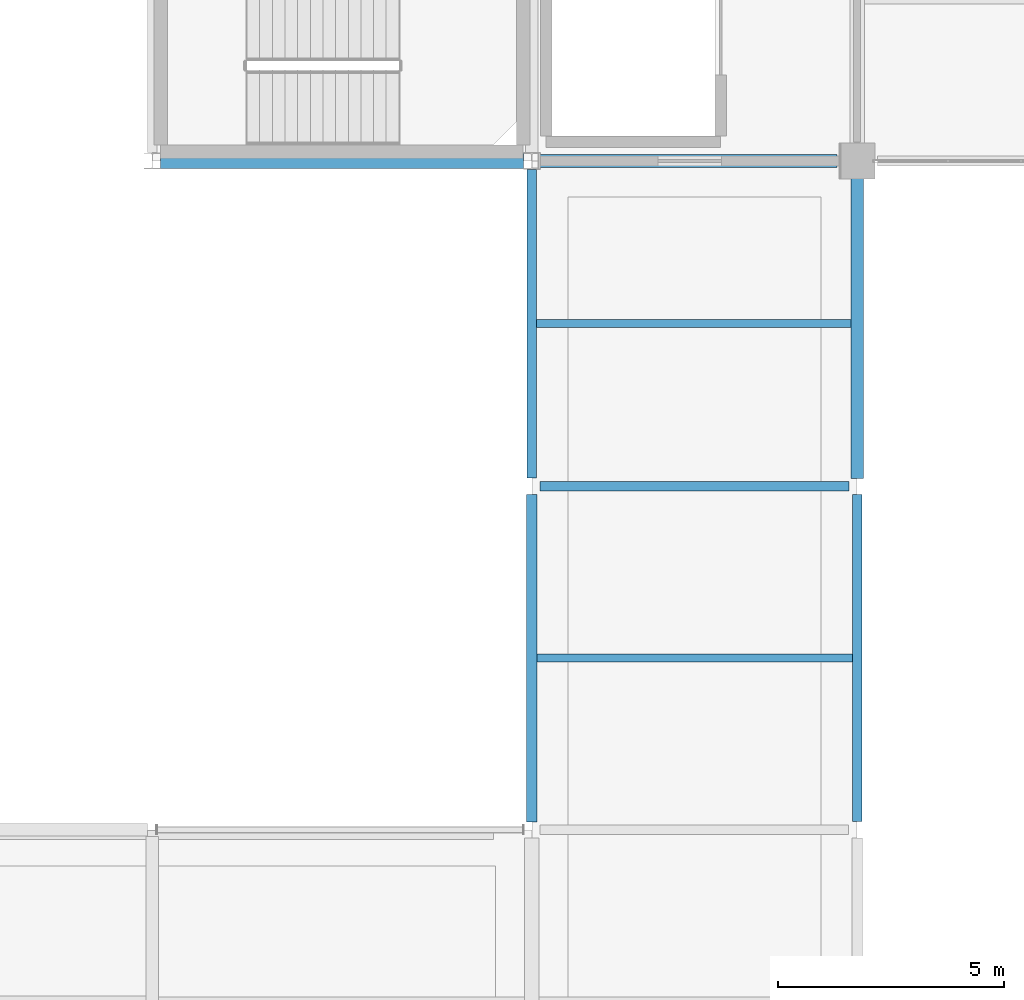
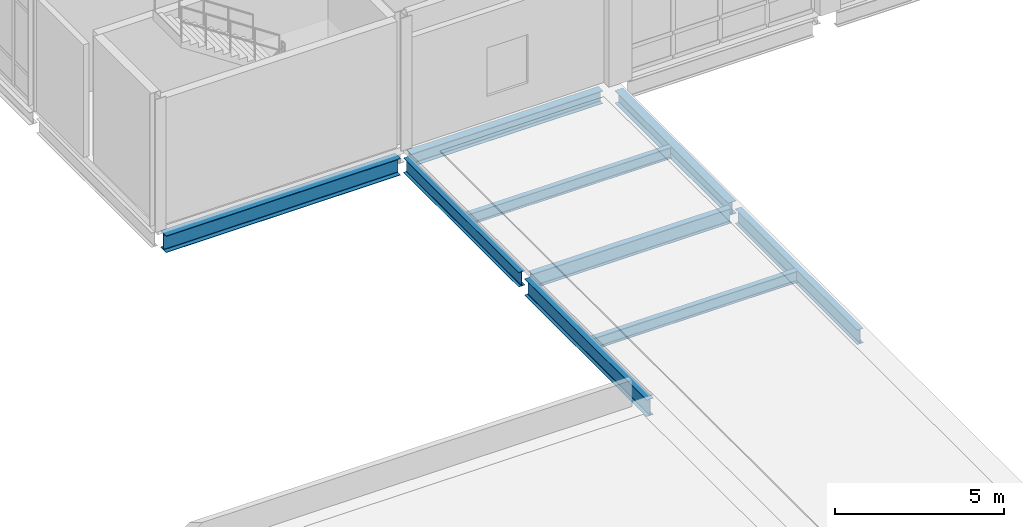
# One storey, part 72 of 153: 9 beams.
"""IFC4 building model written with IfcOpenShell, lengths in metres."""

from ifc_helpers import new_model, si_unit, direction, frame, origin, origin_2d, place, context, subcontext, project, spatial, i_section, extrude, material, material_profile, profile_set, type_object, element, save


model = new_model("IFC4")

# Units and contexts
model_context = context("Model", 3, precision=1e-05, world=origin(), true_north=direction((0.0, 1.0)))
body_context = subcontext(model_context, "Body", "Model", "MODEL_VIEW")
ifc_project = project(units=[si_unit("LENGTHUNIT", "METRE"), si_unit("AREAUNIT", "SQUARE_METRE"), si_unit("VOLUMEUNIT", "CUBIC_METRE"), si_unit("PLANEANGLEUNIT", "RADIAN"), si_unit("MASSUNIT", "GRAM", prefix="KILO")], contexts=[model_context])

# Site, building, storey
site_placement = place(None, origin())
site = spatial("IfcSite", under=ifc_project, at=site_placement, CompositionType="ELEMENT")
building_placement = place(site_placement, origin())
building = spatial("IfcBuilding", under=site, at=building_placement, Name="Calvrana Isthmian Art Gallery", CompositionType="ELEMENT")
storey_placement = place(building_placement, frame((0.0, 0.0, 10.199951171875)))
storey = spatial("IfcBuildingStorey", under=building, at=storey_placement, Name="L02", CompositionType="ELEMENT", Elevation=10.199951171875)

# Beams
ifc_material = material(Name="Steel ASTM A992 Gr 50", Category="steel")
ifc_material_profile_1 = material_profile(ifc_material, i_section(OverallWidth=0.279052734375, OverallDepth=0.4619140625, WebThickness=0.0107421875, FlangeThickness=0.017333984375, FilletRadius=0.02001953125, at=origin_2d()), Name="W18X76")
ifc_profile_set_1 = profile_set([ifc_material_profile_1], Name="Steel ASTM A992 Gr 50")
beam_type_1 = type_object("IfcBeamType", Name="BM-G-W18X76", PredefinedType="BEAM", material=ifc_profile_set_1)
beam_1_placement = place(storey_placement, frame((112.986572265625, 76.800048828125, -0.495849609375), z_axis=(1.0, 0.0, 0.0), x_axis=(0.0, 1.0, 0.0)))
element("IfcBeam", 1, at=beam_1_placement, inside=storey, type_object=beam_type_1, Name="Girder X L02 15-16/K", PredefinedType="BEAM", context=body_context, shape_type="SweptSolid", body=[
    extrude(i_section(OverallWidth=0.279052734375, OverallDepth=0.4619140625, WebThickness=0.0107421875, FlangeThickness=0.017333984375, FilletRadius=0.02001953125, at=origin_2d()), origin(), (0.0, 0.0, 1.0), 6.5634765625),
])
beam_2_placement = place(storey_placement, frame((120.0, 69.778076171875, -0.495849609375), z_axis=(0.0, 1.0, 0.0), x_axis=(-1.0, 0.0, 0.0)))
element("IfcBeam", 2, at=beam_2_placement, inside=storey, type_object=beam_type_1, Name="Girder Y L02 16/J-K", PredefinedType="BEAM", context=body_context, shape_type="SweptSolid", body=[
    extrude(i_section(OverallWidth=0.279052734375, OverallDepth=0.4619140625, WebThickness=0.0107421875, FlangeThickness=0.017333984375, FilletRadius=0.02001953125, at=origin_2d()), origin(), (0.0, 0.0, 1.0), 6.721923828125),
])
ifc_material_profile_2 = material_profile(ifc_material, i_section(OverallWidth=0.208984375, OverallDepth=0.532958984375, WebThickness=0.01025390625, FlangeThickness=0.015625, FilletRadius=0.02099609375, at=origin_2d()), Name="W21X62")
ifc_profile_set_2 = profile_set([ifc_material_profile_2], Name="Steel ASTM A992 Gr 50")
beam_type_2 = type_object("IfcBeamType", Name="BM-G-W21X62", PredefinedType="BEAM", material=ifc_profile_set_2)
beam_3_placement = place(storey_placement, frame((112.985595703125, 69.60009765625, -0.531494140625), z_axis=(1.0, 0.0, 0.0), x_axis=(0.0, 1.0, 0.0)))
element("IfcBeam", 3, at=beam_3_placement, inside=storey, type_object=beam_type_2, Name="Girder X L02 15-16/J", PredefinedType="BEAM", context=body_context, shape_type="SweptSolid", body=[
    extrude(i_section(OverallWidth=0.208984375, OverallDepth=0.532958984375, WebThickness=0.01025390625, FlangeThickness=0.015625, FilletRadius=0.02099609375, at=origin_2d()), origin(), (0.0, 0.0, 1.0), 6.830322265625),
])
beam_4_placement = place(storey_placement, frame((112.800048828125, 69.781494140625, -0.531494140625), z_axis=(0.0, 1.0, 0.0), x_axis=(-1.0, 0.0, 0.0)))
element("IfcBeam", 4, at=beam_4_placement, inside=storey, type_object=beam_type_2, Name="Girder Y L02 15/J-K", PredefinedType="BEAM", context=body_context, shape_type="SweptSolid", body=[
    extrude(i_section(OverallWidth=0.208984375, OverallDepth=0.532958984375, WebThickness=0.01025390625, FlangeThickness=0.015625, FilletRadius=0.02099609375, at=origin_2d()), origin(), (0.0, 0.0, 1.0), 6.83447265625),
])
beam_5_placement = place(storey_placement, frame((120.0, 62.1865234375, -0.531494140625), z_axis=(0.0, 1.0, 0.0), x_axis=(-1.0, 0.0, 0.0)))
element("IfcBeam", 5, at=beam_5_placement, inside=storey, type_object=beam_type_2, Name="Girder Y L02 16/I-J", PredefinedType="BEAM", context=body_context, shape_type="SweptSolid", body=[
    extrude(i_section(OverallWidth=0.208984375, OverallDepth=0.532958984375, WebThickness=0.01025390625, FlangeThickness=0.015625, FilletRadius=0.02099609375, at=origin_2d()), origin(), (0.0, 0.0, 1.0), 7.235595703125),
])
ifc_material_profile_3 = material_profile(ifc_material, i_section(OverallWidth=0.324951171875, OverallDepth=0.612060546875, WebThickness=0.0126953125, FlangeThickness=0.01904296875, FilletRadius=0.02197265625, at=origin_2d()), Name="W24X104")
ifc_profile_set_3 = profile_set([ifc_material_profile_3], Name="Steel ASTM A992 Gr 50")
beam_type_3 = type_object("IfcBeamType", Name="BM-G-W24X104", PredefinedType="BEAM", material=ifc_profile_set_3)
beam_6_placement = place(storey_placement, frame((104.58642578125, 76.800048828125, -0.571044921875), z_axis=(1.0, 0.0, 0.0), x_axis=(0.0, 1.0, 0.0)))
element("IfcBeam", 6, at=beam_6_placement, inside=storey, type_object=beam_type_3, Name="Girder X L02 14-15/K", PredefinedType="BEAM", context=body_context, shape_type="SweptSolid", body=[
    extrude(i_section(OverallWidth=0.324951171875, OverallDepth=0.612060546875, WebThickness=0.0126953125, FlangeThickness=0.01904296875, FilletRadius=0.02197265625, at=origin_2d()), origin(), (0.0, 0.0, 1.0), 8.027099609375),
])
ifc_material_profile_4 = material_profile(ifc_material, i_section(OverallWidth=0.22802734375, OverallDepth=0.60693359375, WebThickness=0.01123046875, FlangeThickness=0.017333984375, FilletRadius=0.02197265625, at=origin_2d()), Name="W24X76")
ifc_profile_set_4 = profile_set([ifc_material_profile_4], Name="Steel ASTM A992 Gr 50")
beam_type_4 = type_object("IfcBeamType", Name="BM-G-W24X76", PredefinedType="BEAM", material=ifc_profile_set_4)
beam_7_placement = place(storey_placement, frame((112.800048828125, 62.177978515625, -0.568359375), z_axis=(0.0, 1.0, 0.0), x_axis=(-1.0, 0.0, 0.0)))
element("IfcBeam", 7, at=beam_7_placement, inside=storey, type_object=beam_type_4, Name="Girder Y L02 15/I-J", PredefinedType="BEAM", context=body_context, shape_type="SweptSolid", body=[
    extrude(i_section(OverallWidth=0.22802734375, OverallDepth=0.60693359375, WebThickness=0.01123046875, FlangeThickness=0.017333984375, FilletRadius=0.02197265625, at=origin_2d()), origin(), (0.0, 0.0, 1.0), 7.240478515625),
])
ifc_material_profile_5 = material_profile(ifc_material, i_section(OverallWidth=0.177978515625, OverallDepth=0.404052734375, WebThickness=0.007568359375, FlangeThickness=0.010986328125, FilletRadius=0.01806640625, at=origin_2d()), Name="W16X36")
ifc_profile_set_5 = profile_set([ifc_material_profile_5], Name="Steel ASTM A992 Gr 50")
beam_type_5 = type_object("IfcBeamType", Name="BM-J-W16X36", PredefinedType="JOIST", material=ifc_profile_set_5)
beam_8_placement = place(storey_placement, frame((112.904541015625, 73.199951171875, -0.467041015625), z_axis=(1.0, 0.0, 0.0), x_axis=(0.0, 1.0, 0.0)))
element("IfcBeam", 8, at=beam_8_placement, inside=storey, type_object=beam_type_5, Name="Composite joist L02 bay 14-09", PredefinedType="JOIST", context=body_context, shape_type="SweptSolid", body=[
    extrude(i_section(OverallWidth=0.177978515625, OverallDepth=0.404052734375, WebThickness=0.007568359375, FlangeThickness=0.010986328125, FilletRadius=0.01806640625, at=origin_2d()), origin(), (0.0, 0.0, 1.0), 6.9560546875),
])
ifc_material_profile_6 = material_profile(ifc_material, i_section(OverallWidth=0.179931640625, OverallDepth=0.4140625, WebThickness=0.009765625, FlangeThickness=0.01611328125, FilletRadius=0.01806640625, at=origin_2d()), Name="W16X50")
ifc_profile_set_6 = profile_set([ifc_material_profile_6], Name="Steel ASTM A992 Gr 50")
beam_type_6 = type_object("IfcBeamType", Name="BM-J-W16X50", PredefinedType="JOIST", material=ifc_profile_set_6)
beam_9_placement = place(storey_placement, frame((112.9140625, 65.800048828125, -0.471923828125), z_axis=(1.0, 0.0, 0.0), x_axis=(0.0, 1.0, 0.0)))
element("IfcBeam", 9, at=beam_9_placement, inside=storey, type_object=beam_type_6, Name="Composite joist L02 bay 14-08", PredefinedType="JOIST", context=body_context, shape_type="SweptSolid", body=[
    extrude(i_section(OverallWidth=0.179931640625, OverallDepth=0.4140625, WebThickness=0.009765625, FlangeThickness=0.01611328125, FilletRadius=0.01806640625, at=origin_2d()), origin(), (0.0, 0.0, 1.0), 6.9814453125),
])

save(model, "model.ifc")
